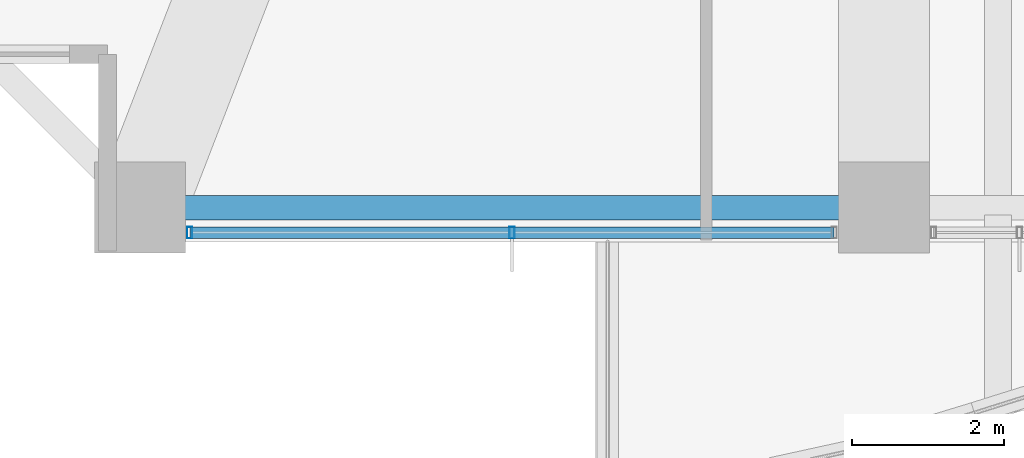
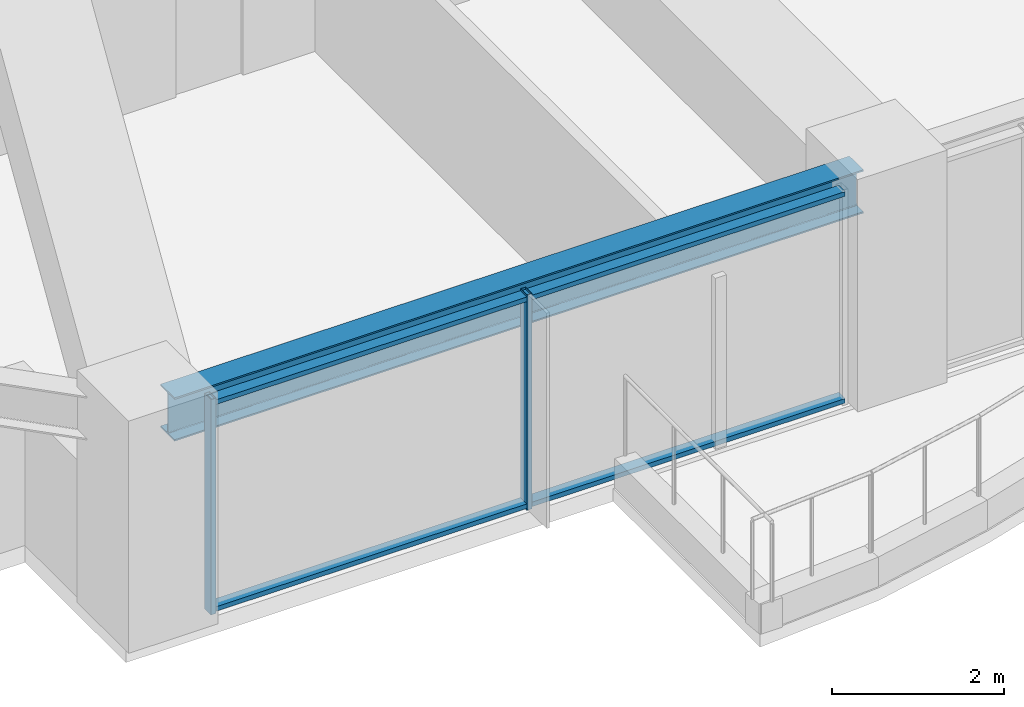
# One storey, part 2 of 37: 4 members, 1 beam, 1 element without a shape of its own.
"""IFC4 building model written with IfcOpenShell, lengths in metres."""

import ifcopenshell
import ifcopenshell.guid

model = None  # the IFC model being written
_history = None  # IfcOwnerHistory: only IFC2X3 demands one
_inside = {}  # id of a spatial element -> (the spatial element, [elements in it])
_under = {}  # id of a project, library or spatial element -> (it, [spatial elements below it])
_declared = {}  # id of a project -> (the project, [libraries it declares])
_typed = {}  # id of a type object -> (the type object, [elements of that type])
_made_of = {}  # id of a material, layer set ... -> (it, [elements and type objects made of it])


def new_model(schema):
    """Start an empty IFC model of exactly this schema.

    Asked for "IFC4X3", IfcOpenShell would pick the latest addendum, in which some entities
    have other attributes; the version numbers below select the first issue.
    IFC2X3 requires an IfcOwnerHistory on every rooted entity: one is made here for all.
    """
    global model, _history
    if schema == "IFC4X3":
        model = ifcopenshell.file(schema_version=(4, 3, 0, 0))
    else:
        model = ifcopenshell.file(schema=schema)
    _inside.clear()
    _under.clear()
    _declared.clear()
    _typed.clear()
    _made_of.clear()
    _history = None
    if model.schema == "IFC2X3":
        org = make("IfcOrganization", Name="unknown")
        user = make(
            "IfcPersonAndOrganization",
            ThePerson=make("IfcPerson", FamilyName="unknown"),
            TheOrganization=org,
        )
        app = make(
            "IfcApplication",
            ApplicationDeveloper=org,
            Version="unknown",
            ApplicationFullName="unknown",
            ApplicationIdentifier="unknown",
        )
        _history = make(
            "IfcOwnerHistory",
            OwningUser=user,
            OwningApplication=app,
            ChangeAction="ADDED",
            CreationDate=0,
        )
    return model


def make(cls, **values):
    """One entity of the class cls with the attributes given. An attribute that is None is left unset."""
    return model.create_entity(
        cls, **{name: value for name, value in values.items() if value is not None}
    )


def rooted(cls, **values):
    """An entity with a GlobalId (a new one), such as an element, a storey or a relation."""
    return make(cls, GlobalId=ifcopenshell.guid.new(), OwnerHistory=_history, **values)


def si_unit(unit_type, name, prefix=None):
    """IfcSIUnit, for example si_unit("LENGTHUNIT", "METRE", prefix="MILLI")."""
    return make("IfcSIUnit", UnitType=unit_type, Prefix=prefix, Name=name)


def assignment(units):
    """IfcUnitAssignment: the units of a project."""
    return None if units is None else make("IfcUnitAssignment", Units=units)


def point(xyz):
    """IfcCartesianPoint."""
    return None if xyz is None else make("IfcCartesianPoint", Coordinates=xyz)


def direction(xyz):
    """IfcDirection."""
    return None if xyz is None else make("IfcDirection", DirectionRatios=xyz)


def frame(location, z_axis=None, x_axis=None):
    """IfcAxis2Placement3D, a coordinate frame: its origin and axes. An axis left out is left unset."""
    return make(
        "IfcAxis2Placement3D",
        Location=point(location),
        Axis=direction(z_axis),
        RefDirection=direction(x_axis),
    )


def frame_2d(location, x_axis=None):
    """IfcAxis2Placement2D, a coordinate frame in the plane: its origin and x axis."""
    return make(
        "IfcAxis2Placement2D", Location=point(location), RefDirection=direction(x_axis)
    )


def origin():
    """The frame at (0, 0, 0) with its axes left unset."""
    return frame((0.0, 0.0, 0.0))


def origin_2d():
    """The frame at (0, 0) in the plane with its x axis left unset."""
    return frame_2d((0.0, 0.0))


def place(relative_to, where):
    """IfcLocalPlacement: puts the frame where relative to a parent placement (None: the world)."""
    return make(
        "IfcLocalPlacement", PlacementRelTo=relative_to, RelativePlacement=where
    )


def context(
    kind, dimensions, precision=None, world=None, true_north=None, identifier=None
):
    """IfcGeometricRepresentationContext, for example the 3D "Model" context."""
    return make(
        "IfcGeometricRepresentationContext",
        ContextIdentifier=identifier,
        ContextType=kind,
        CoordinateSpaceDimension=dimensions,
        Precision=precision,
        WorldCoordinateSystem=world,
        TrueNorth=true_north,
    )


def subcontext(parent, identifier, kind, view, scale=None):
    """IfcGeometricRepresentationSubContext, for example "Body" below "Model"."""
    return make(
        "IfcGeometricRepresentationSubContext",
        ContextIdentifier=identifier,
        ContextType=kind,
        ParentContext=parent,
        TargetScale=scale,
        TargetView=view,
    )


def project(units=None, contexts=None):
    """IfcProject with its units and contexts."""
    return rooted(
        "IfcProject",
        Name="project",
        RepresentationContexts=contexts,
        UnitsInContext=assignment(units),
    )


def spatial(cls, under=None, at=None, **own):
    """A site, building, storey or space (cls), placed at a placement, below another one or the project."""
    s = rooted(cls, ObjectPlacement=at, **own)
    if under is not None:
        _under.setdefault(under.id(), (under, []))[1].append(s)
    return s


def profile(cls, at=None, kind="AREA", **sizes):
    """A parametric profile (cls). Its sizes go by their IFC names, for example OverallWidth=200.0."""
    return make(cls, ProfileType=kind, Position=at, **sizes)


def hollow_rectangle(**sizes):
    """IfcRectangleHollowProfileDef."""
    return profile("IfcRectangleHollowProfileDef", **sizes)


def i_section(**sizes):
    """IfcIShapeProfileDef."""
    return profile("IfcIShapeProfileDef", **sizes)


def extrude(swept, where, along, depth):
    """IfcExtrudedAreaSolid: the profile swept, set in the frame where, extruded along a direction by depth."""
    return make(
        "IfcExtrudedAreaSolid",
        SweptArea=swept,
        Position=where,
        ExtrudedDirection=direction(along),
        Depth=depth,
    )


def shape(context_of_items, identifier, shape_type, items):
    """IfcShapeRepresentation: the items that make up one representation, for example the "Body"."""
    return make(
        "IfcShapeRepresentation",
        ContextOfItems=context_of_items,
        RepresentationIdentifier=identifier,
        RepresentationType=shape_type,
        Items=items,
    )


def material(Name=None, Category=None):
    """IfcMaterial."""
    return make("IfcMaterial", Name=Name, Category=Category)


def material_profile(
    of_material, cross_section, Name=None, Category=None, Priority=None
):
    """IfcMaterialProfile: a cross section and its material."""
    return make(
        "IfcMaterialProfile",
        Name=Name,
        Material=of_material,
        Profile=cross_section,
        Priority=Priority,
        Category=Category,
    )


def profile_set(profiles, Name=None, composite=None):
    """IfcMaterialProfileSet."""
    return make(
        "IfcMaterialProfileSet",
        Name=Name,
        MaterialProfiles=profiles,
        CompositeProfile=composite,
    )


def made_of(thing, what):
    """Note that an element or type object is made of a material, layer set ...; save() writes the relation."""
    if what is not None:
        _made_of.setdefault(what.id(), (what, []))[1].append(thing)
    return thing


def type_object(cls, material=None, **own):
    """A type object (cls), such as IfcWallType, which elements share."""
    return made_of(rooted(cls, **own), material)


def element(
    cls,
    number,
    at=None,
    inside=None,
    cuts=None,
    type_object=None,
    material=None,
    context=None,
    identifier="Body",
    shape_type=None,
    held_by="IfcProductDefinitionShape",
    body=None,
    shapes=None,
    **own,
):
    """One element of the class cls, such as IfcWall. Its Tag is "e" and its number.

    at: its placement. inside: the storey or other place that contains it. cuts: it is an
    opening in that element (IfcRelVoidsElement). A single representation is given by context,
    identifier, shape_type and body (its items); several are given by shapes. held_by: the class
    of the entity that holds the representations. save() writes the other relations.
    """
    e = rooted(cls, Tag="e%d" % number, ObjectPlacement=at, **own)
    if body is not None:
        shapes = [shape(context, identifier, shape_type, body)]
    if shapes is not None:
        e.Representation = make(held_by, Representations=shapes)
    if inside is not None:
        _inside.setdefault(inside.id(), (inside, []))[1].append(e)
    if cuts is not None:
        rooted(
            "IfcRelVoidsElement", RelatingBuildingElement=cuts, RelatedOpeningElement=e
        )
    if type_object is not None:
        _typed.setdefault(type_object.id(), (type_object, []))[1].append(e)
    return made_of(e, material)


def aggregate(whole, parts):
    """IfcRelAggregates: a whole, such as a stair, and the parts it consists of."""
    return rooted("IfcRelAggregates", RelatingObject=whole, RelatedObjects=parts)


def save(model, path):
    """Write the relations noted so far, then the file.

    IfcRelAggregates (storeys below a building ...), IfcRelContainedInSpatialStructure (elements
    in a storey), IfcRelDefinesByType, IfcRelAssociatesMaterial and IfcRelDeclares: one each for
    every whole, place, type object, material and project.
    """
    for whole, parts in _under.values():
        aggregate(whole, parts)
    for where, things in _inside.values():
        rooted(
            "IfcRelContainedInSpatialStructure",
            RelatedElements=things,
            RelatingStructure=where,
        )
    for kind, things in _typed.values():
        rooted("IfcRelDefinesByType", RelatedObjects=things, RelatingType=kind)
    for what, things in _made_of.values():
        rooted("IfcRelAssociatesMaterial", RelatedObjects=things, RelatingMaterial=what)
    for by, libraries in _declared.values():
        rooted("IfcRelDeclares", RelatingContext=by, RelatedDefinitions=libraries)
    model.write(path)


model = new_model("IFC4")

# Units and contexts
model_context = context("Model", 3, precision=1e-05, world=origin(), true_north=direction((0.0, 1.0)))
body_context = subcontext(model_context, "Body", "Model", "MODEL_VIEW")
ifc_project = project(units=[si_unit("LENGTHUNIT", "METRE"), si_unit("AREAUNIT", "SQUARE_METRE"), si_unit("VOLUMEUNIT", "CUBIC_METRE"), si_unit("PLANEANGLEUNIT", "RADIAN"), si_unit("MASSUNIT", "GRAM", prefix="KILO")], contexts=[model_context])

# Site, building, storey
site_placement = place(None, origin())
site = spatial("IfcSite", under=ifc_project, at=site_placement, CompositionType="ELEMENT")
building_placement = place(site_placement, origin())
building = spatial("IfcBuilding", under=site, at=building_placement, Name="Kolvaren Belvedere", CompositionType="ELEMENT")
storey_placement = place(building_placement, frame((0.0, 0.0, 37.0)))
storey = spatial("IfcBuildingStorey", under=building, at=storey_placement, Name="L10", CompositionType="ELEMENT", Elevation=37.0)

# Beam
ifc_material_1 = material(Name="Structural steel ASTM A992 Grade 50", Category="steel")
ifc_material_profile_1 = material_profile(ifc_material_1, i_section(OverallWidth=0.324951171875, OverallDepth=0.615966796875, WebThickness=0.013916015625, FlangeThickness=0.021484375, FilletRadius=0.02001953125, at=origin_2d()), Name="W24X117")
ifc_profile_set_1 = profile_set([ifc_material_profile_1], Name="Structural steel ASTM A992 Grade 50")
beam_type = type_object("IfcBeamType", Name="BM-SPAN-W24X117", PredefinedType="SPANDREL", material=ifc_profile_set_1)
beam_placement = place(storey_placement, frame((-14.1298828125, -21.550048828125, 2.751953125), z_axis=(1.0, 0.0, 0.0), x_axis=(0.0, 1.0, 0.0)))
element("IfcBeam", 1, at=beam_placement, inside=storey, type_object=beam_type, Name="L10 Perimeter Spandrel S1-S2", PredefinedType="SPANDREL", context=body_context, shape_type="SweptSolid", body=[
    extrude(i_section(OverallWidth=0.324951171875, OverallDepth=0.615966796875, WebThickness=0.013916015625, FlangeThickness=0.021484375, FilletRadius=0.02001953125, at=origin_2d()), origin(), (0.0, 0.0, 1.0), 9.259765625),
])

# Curtain wall, members
ifc_material_2 = material(Name="Anodised pale-metal aluminium AA 6063-T6", Category="aluminium")
curtain_wall_type = type_object("IfcCurtainWallType", Name="CW-Z1-LOW", PredefinedType="NOTDEFINED", material=ifc_material_2)
curtain_wall_placement = place(storey_placement, origin())
curtain_wall = element("IfcCurtainWall", 2, at=curtain_wall_placement, inside=storey, type_object=curtain_wall_type, Name="L10 Unitised Curtain Wall FCW-L10-S2-B2", PredefinedType="NOTDEFINED")
ifc_material_3 = material(Name="Anodised pale-metal aluminium AA 6063-T6", Category="aluminium")
ifc_material_profile_2 = material_profile(ifc_material_3, hollow_rectangle(XDim=0.070068359375, YDim=0.14990234375, WallThickness=0.004150390625, at=origin_2d()), Name="ALU-MUL-150X70")
ifc_profile_set_2 = profile_set([ifc_material_profile_2], Name="Anodised pale-metal aluminium AA 6063-T6")
member_type_1 = type_object("IfcMemberType", Name="CW-MUL-150", PredefinedType="MULLION", material=ifc_profile_set_2)
member_1_placement = place(storey_placement, frame((-9.5, -21.8798828125, 0.0), z_axis=(0.0, 0.0, 1.0), x_axis=(1.0, 0.0, 0.0)))
member_1 = element("IfcMember", 3, at=member_1_placement, type_object=member_type_1, Name="FCW-L10-S2-B2 Unitised Mullion 2", PredefinedType="MULLION", context=body_context, shape_type="SweptSolid", body=[
    extrude(hollow_rectangle(XDim=0.070068359375, YDim=0.14990234375, WallThickness=0.004150390625, at=origin_2d()), origin(), (0.0, 0.0, 1.0), 3.06005859375),
])
member_2_placement = place(storey_placement, frame((-13.7451171875, -21.8798828125, 0.0), z_axis=(0.0, 0.0, 1.0), x_axis=(1.0, 0.0, 0.0)))
member_2 = element("IfcMember", 4, at=member_2_placement, type_object=member_type_1, Name="FCW-L10-S2-B2 Unitised Mullion 3", PredefinedType="MULLION", context=body_context, shape_type="SweptSolid", body=[
    extrude(hollow_rectangle(XDim=0.070068359375, YDim=0.14990234375, WallThickness=0.004150390625, at=origin_2d()), origin(), (0.0, 0.0, 1.0), 3.06005859375),
])
ifc_material_4 = material(Name="Anodised pale-metal aluminium AA 6063-T6", Category="aluminium")
ifc_material_profile_3 = material_profile(ifc_material_4, hollow_rectangle(XDim=0.06494140625, YDim=0.14990234375, WallThickness=0.00390625, at=origin_2d()), Name="ALU-TRN-150X65")
ifc_profile_set_3 = profile_set([ifc_material_profile_3], Name="Anodised pale-metal aluminium AA 6063-T6")
member_type_2 = type_object("IfcMemberType", Name="CW-TRN-150", PredefinedType="USERDEFINED", material=ifc_profile_set_3)
member_3_placement = place(storey_placement, frame((-5.2548828125, -21.8798828125, 0.06005859375), z_axis=(-1.0, 0.0, 0.0), x_axis=(0.0, 0.0, 1.0)))
member_3 = element("IfcMember", 5, at=member_3_placement, type_object=member_type_2, Name="FCW-L10-S2-B2 Sill Transom", ObjectType="TRANSOM", PredefinedType="USERDEFINED", context=body_context, shape_type="SweptSolid", body=[
    extrude(hollow_rectangle(XDim=0.06494140625, YDim=0.14990234375, WallThickness=0.00390625, at=origin_2d()), origin(), (0.0, 0.0, 1.0), 8.490234375),
])
member_4_placement = place(storey_placement, frame((-5.2548828125, -21.8798828125, 3.0), z_axis=(-1.0, 0.0, 0.0), x_axis=(0.0, 0.0, 1.0)))
member_4 = element("IfcMember", 6, at=member_4_placement, type_object=member_type_2, Name="FCW-L10-S2-B2 Head Transom", ObjectType="TRANSOM", PredefinedType="USERDEFINED", context=body_context, shape_type="SweptSolid", body=[
    extrude(hollow_rectangle(XDim=0.06494140625, YDim=0.14990234375, WallThickness=0.00390625, at=origin_2d()), origin(), (0.0, 0.0, 1.0), 8.490234375),
])
aggregate(curtain_wall, [member_1, member_2, member_3, member_4])

save(model, "model.ifc")
